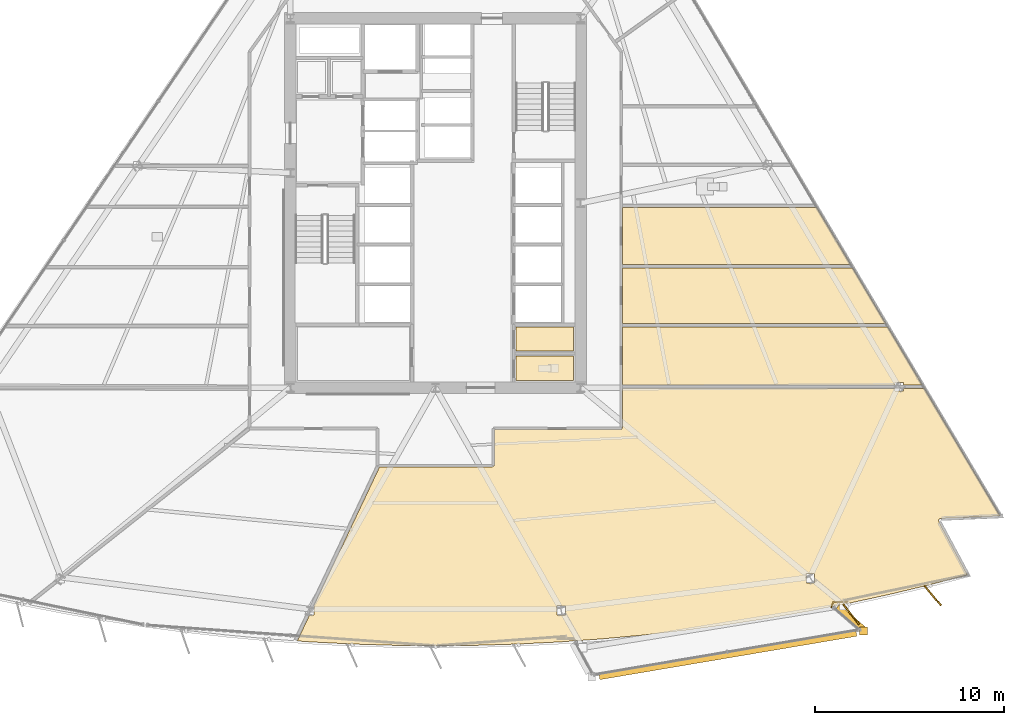
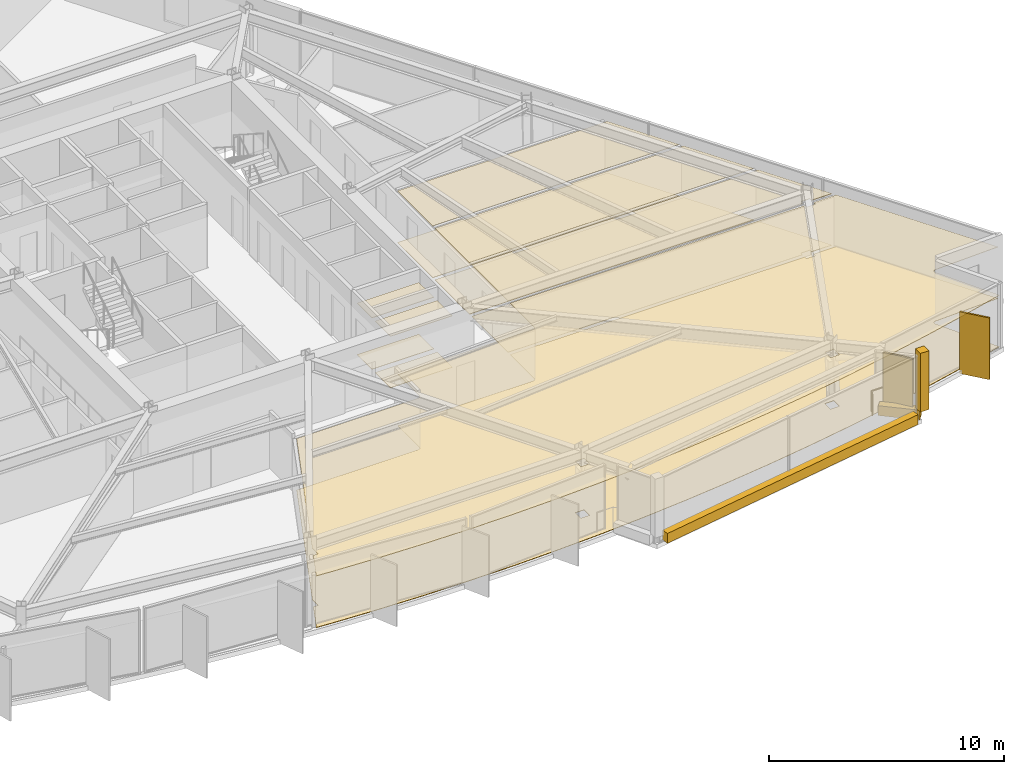
# One storey, part 15 of 18: 15 coverings, 2 shading devices, 1 railing.
"""IFC4 building model written with IfcOpenShell, lengths in metres."""

import ifcopenshell
import ifcopenshell.guid

model = None  # the IFC model being written
_history = None  # IfcOwnerHistory: only IFC2X3 demands one
_inside = {}  # id of a spatial element -> (the spatial element, [elements in it])
_under = {}  # id of a project, library or spatial element -> (it, [spatial elements below it])
_declared = {}  # id of a project -> (the project, [libraries it declares])
_typed = {}  # id of a type object -> (the type object, [elements of that type])
_made_of = {}  # id of a material, layer set ... -> (it, [elements and type objects made of it])


def new_model(schema):
    """Start an empty IFC model of exactly this schema.

    Asked for "IFC4X3", IfcOpenShell would pick the latest addendum, in which some entities
    have other attributes; the version numbers below select the first issue.
    IFC2X3 requires an IfcOwnerHistory on every rooted entity: one is made here for all.
    """
    global model, _history
    if schema == "IFC4X3":
        model = ifcopenshell.file(schema_version=(4, 3, 0, 0))
    else:
        model = ifcopenshell.file(schema=schema)
    _inside.clear()
    _under.clear()
    _declared.clear()
    _typed.clear()
    _made_of.clear()
    _history = None
    if model.schema == "IFC2X3":
        org = make("IfcOrganization", Name="unknown")
        user = make(
            "IfcPersonAndOrganization",
            ThePerson=make("IfcPerson", FamilyName="unknown"),
            TheOrganization=org,
        )
        app = make(
            "IfcApplication",
            ApplicationDeveloper=org,
            Version="unknown",
            ApplicationFullName="unknown",
            ApplicationIdentifier="unknown",
        )
        _history = make(
            "IfcOwnerHistory",
            OwningUser=user,
            OwningApplication=app,
            ChangeAction="ADDED",
            CreationDate=0,
        )
    return model


def make(cls, **values):
    """One entity of the class cls with the attributes given. An attribute that is None is left unset."""
    return model.create_entity(
        cls, **{name: value for name, value in values.items() if value is not None}
    )


def rooted(cls, **values):
    """An entity with a GlobalId (a new one), such as an element, a storey or a relation."""
    return make(cls, GlobalId=ifcopenshell.guid.new(), OwnerHistory=_history, **values)


def si_unit(unit_type, name, prefix=None):
    """IfcSIUnit, for example si_unit("LENGTHUNIT", "METRE", prefix="MILLI")."""
    return make("IfcSIUnit", UnitType=unit_type, Prefix=prefix, Name=name)


def assignment(units):
    """IfcUnitAssignment: the units of a project."""
    return None if units is None else make("IfcUnitAssignment", Units=units)


def point(xyz):
    """IfcCartesianPoint."""
    return None if xyz is None else make("IfcCartesianPoint", Coordinates=xyz)


def direction(xyz):
    """IfcDirection."""
    return None if xyz is None else make("IfcDirection", DirectionRatios=xyz)


def frame(location, z_axis=None, x_axis=None):
    """IfcAxis2Placement3D, a coordinate frame: its origin and axes. An axis left out is left unset."""
    return make(
        "IfcAxis2Placement3D",
        Location=point(location),
        Axis=direction(z_axis),
        RefDirection=direction(x_axis),
    )


def frame_2d(location, x_axis=None):
    """IfcAxis2Placement2D, a coordinate frame in the plane: its origin and x axis."""
    return make(
        "IfcAxis2Placement2D", Location=point(location), RefDirection=direction(x_axis)
    )


def origin():
    """The frame at (0, 0, 0) with its axes left unset."""
    return frame((0.0, 0.0, 0.0))


def origin_2d():
    """The frame at (0, 0) in the plane with its x axis left unset."""
    return frame_2d((0.0, 0.0))


def place(relative_to, where):
    """IfcLocalPlacement: puts the frame where relative to a parent placement (None: the world)."""
    return make(
        "IfcLocalPlacement", PlacementRelTo=relative_to, RelativePlacement=where
    )


def context(
    kind, dimensions, precision=None, world=None, true_north=None, identifier=None
):
    """IfcGeometricRepresentationContext, for example the 3D "Model" context."""
    return make(
        "IfcGeometricRepresentationContext",
        ContextIdentifier=identifier,
        ContextType=kind,
        CoordinateSpaceDimension=dimensions,
        Precision=precision,
        WorldCoordinateSystem=world,
        TrueNorth=true_north,
    )


def subcontext(parent, identifier, kind, view, scale=None):
    """IfcGeometricRepresentationSubContext, for example "Body" below "Model"."""
    return make(
        "IfcGeometricRepresentationSubContext",
        ContextIdentifier=identifier,
        ContextType=kind,
        ParentContext=parent,
        TargetScale=scale,
        TargetView=view,
    )


def project(units=None, contexts=None):
    """IfcProject with its units and contexts."""
    return rooted(
        "IfcProject",
        Name="project",
        RepresentationContexts=contexts,
        UnitsInContext=assignment(units),
    )


def spatial(cls, under=None, at=None, **own):
    """A site, building, storey or space (cls), placed at a placement, below another one or the project."""
    s = rooted(cls, ObjectPlacement=at, **own)
    if under is not None:
        _under.setdefault(under.id(), (under, []))[1].append(s)
    return s


def polyline(points):
    """IfcPolyline through the points."""
    return make("IfcPolyline", Points=[point(p) for p in points])


def profile(cls, at=None, kind="AREA", **sizes):
    """A parametric profile (cls). Its sizes go by their IFC names, for example OverallWidth=200.0."""
    return make(cls, ProfileType=kind, Position=at, **sizes)


def rectangle(**sizes):
    """IfcRectangleProfileDef."""
    return profile("IfcRectangleProfileDef", **sizes)


def circle(**sizes):
    """IfcCircleProfileDef."""
    return profile("IfcCircleProfileDef", **sizes)


def outline(outer, holes=None, kind="AREA"):
    """IfcArbitraryClosedProfileDef: a profile drawn as a closed curve; with holes, ...WithVoids."""
    if holes is None:
        return make("IfcArbitraryClosedProfileDef", ProfileType=kind, OuterCurve=outer)
    return make(
        "IfcArbitraryProfileDefWithVoids",
        ProfileType=kind,
        OuterCurve=outer,
        InnerCurves=holes,
    )


def extrude(swept, where, along, depth):
    """IfcExtrudedAreaSolid: the profile swept, set in the frame where, extruded along a direction by depth."""
    return make(
        "IfcExtrudedAreaSolid",
        SweptArea=swept,
        Position=where,
        ExtrudedDirection=direction(along),
        Depth=depth,
    )


def shape(context_of_items, identifier, shape_type, items):
    """IfcShapeRepresentation: the items that make up one representation, for example the "Body"."""
    return make(
        "IfcShapeRepresentation",
        ContextOfItems=context_of_items,
        RepresentationIdentifier=identifier,
        RepresentationType=shape_type,
        Items=items,
    )


def material(Name=None, Category=None):
    """IfcMaterial."""
    return make("IfcMaterial", Name=Name, Category=Category)


def layer(
    of_material, thickness, ventilated=None, Name=None, Category=None, Priority=None
):
    """IfcMaterialLayer: one layer of a wall or slab, of a material (None: an air gap)."""
    return make(
        "IfcMaterialLayer",
        Material=of_material,
        LayerThickness=thickness,
        IsVentilated=ventilated,
        Name=Name,
        Category=Category,
        Priority=Priority,
    )


def layer_set(layers, Name=None):
    """IfcMaterialLayerSet."""
    return make("IfcMaterialLayerSet", MaterialLayers=layers, LayerSetName=Name)


def made_of(thing, what):
    """Note that an element or type object is made of a material, layer set ...; save() writes the relation."""
    if what is not None:
        _made_of.setdefault(what.id(), (what, []))[1].append(thing)
    return thing


def type_object(cls, material=None, **own):
    """A type object (cls), such as IfcWallType, which elements share."""
    return made_of(rooted(cls, **own), material)


def element(
    cls,
    number,
    at=None,
    inside=None,
    cuts=None,
    type_object=None,
    material=None,
    context=None,
    identifier="Body",
    shape_type=None,
    held_by="IfcProductDefinitionShape",
    body=None,
    shapes=None,
    **own,
):
    """One element of the class cls, such as IfcWall. Its Tag is "e" and its number.

    at: its placement. inside: the storey or other place that contains it. cuts: it is an
    opening in that element (IfcRelVoidsElement). A single representation is given by context,
    identifier, shape_type and body (its items); several are given by shapes. held_by: the class
    of the entity that holds the representations. save() writes the other relations.
    """
    e = rooted(cls, Tag="e%d" % number, ObjectPlacement=at, **own)
    if body is not None:
        shapes = [shape(context, identifier, shape_type, body)]
    if shapes is not None:
        e.Representation = make(held_by, Representations=shapes)
    if inside is not None:
        _inside.setdefault(inside.id(), (inside, []))[1].append(e)
    if cuts is not None:
        rooted(
            "IfcRelVoidsElement", RelatingBuildingElement=cuts, RelatedOpeningElement=e
        )
    if type_object is not None:
        _typed.setdefault(type_object.id(), (type_object, []))[1].append(e)
    return made_of(e, material)


def aggregate(whole, parts):
    """IfcRelAggregates: a whole, such as a stair, and the parts it consists of."""
    return rooted("IfcRelAggregates", RelatingObject=whole, RelatedObjects=parts)


def save(model, path):
    """Write the relations noted so far, then the file.

    IfcRelAggregates (storeys below a building ...), IfcRelContainedInSpatialStructure (elements
    in a storey), IfcRelDefinesByType, IfcRelAssociatesMaterial and IfcRelDeclares: one each for
    every whole, place, type object, material and project.
    """
    for whole, parts in _under.values():
        aggregate(whole, parts)
    for where, things in _inside.values():
        rooted(
            "IfcRelContainedInSpatialStructure",
            RelatedElements=things,
            RelatingStructure=where,
        )
    for kind, things in _typed.values():
        rooted("IfcRelDefinesByType", RelatedObjects=things, RelatingType=kind)
    for what, things in _made_of.values():
        rooted("IfcRelAssociatesMaterial", RelatedObjects=things, RelatingMaterial=what)
    for by, libraries in _declared.values():
        rooted("IfcRelDeclares", RelatingContext=by, RelatedDefinitions=libraries)
    model.write(path)


model = new_model("IFC4")

# Units and contexts
model_context = context("Model", 3, precision=1e-05, world=origin(), true_north=direction((0.0, 1.0)))
body_context = subcontext(model_context, "Body", "Model", "MODEL_VIEW")
ifc_project = project(units=[si_unit("LENGTHUNIT", "METRE"), si_unit("AREAUNIT", "SQUARE_METRE"), si_unit("VOLUMEUNIT", "CUBIC_METRE"), si_unit("PLANEANGLEUNIT", "RADIAN"), si_unit("MASSUNIT", "GRAM", prefix="KILO")], contexts=[model_context])

# Site, building, storey
site_placement = place(None, origin())
site = spatial("IfcSite", under=ifc_project, at=site_placement, CompositionType="ELEMENT")
building_placement = place(site_placement, origin())
building = spatial("IfcBuilding", under=site, at=building_placement, Name="Savorim Split Tower", CompositionType="ELEMENT")
storey_placement = place(building_placement, frame((0.0, 0.0, 48.0)))
storey = spatial("IfcBuildingStorey", under=building, at=storey_placement, Name="L12", CompositionType="ELEMENT", Elevation=48.0)

# Coverings
ifc_material_1 = material(Name="Mineral Fibre Acoustic Ceiling")
ifc_layer_1 = layer(ifc_material_1, 0.02490234375)
ifc_layer_set_1 = layer_set([ifc_layer_1], Name="COV-CEIL-25")
covering_type_1 = type_object("IfcCoveringType", Name="COV-CEIL-25", PredefinedType="CEILING", material=ifc_layer_set_1)
covering_1_placement = place(storey_placement, frame((0.0, 0.0, 2.669921875)))
element("IfcCovering", 1, at=covering_1_placement, inside=storey, type_object=covering_type_1, Name="L12 Accessible WC Acoustic Ceiling", PredefinedType="CEILING", context=body_context, shape_type="SweptSolid", body=[
    extrude(outline(polyline([(4.280029296875, -7.719970703125), (4.280029296875, -9.02001953125), (7.320068359375, -9.02001953125), (7.320068359375, -7.719970703125), (4.280029296875, -7.719970703125)])), origin(), (0.0, 0.0, 1.0), 0.025146484375),
])
covering_2_placement = place(storey_placement, frame((0.0, 0.0, 2.669921875)))
element("IfcCovering", 2, at=covering_2_placement, inside=storey, type_object=covering_type_1, Name="L12 Cleaning Store Acoustic Ceiling", PredefinedType="CEILING", context=body_context, shape_type="SweptSolid", body=[
    extrude(outline(polyline([(4.280029296875, -6.179931640625), (4.280029296875, -7.43994140625), (7.320068359375, -7.43994140625), (7.320068359375, -6.179931640625), (4.280029296875, -6.179931640625)])), origin(), (0.0, 0.0, 1.0), 0.025146484375),
])
covering_3_placement = place(storey_placement, frame((0.0, 0.0, 2.669921875)))
element("IfcCovering", 3, at=covering_3_placement, inside=storey, type_object=covering_type_1, Name="L12 Co-Working Commons Acoustic Ceiling", PredefinedType="CEILING", context=body_context, shape_type="SweptSolid", body=[
    extrude(outline(polyline([(26.7880859375, -16.331298828125), (26.79931640625, -16.3291015625), (26.810791015625, -16.328125), (29.954345703125, -16.1943359375), (25.914794921875, -9.40087890625), (25.914794921875, -9.433837890625), (24.819580078125, -9.433837890625), (24.819580078125, -9.572021484375), (24.3837890625, -9.572021484375), (24.3837890625, -9.433837890625), (9.919921875, -9.433837890625), (9.919921875, -11.47998046875), (9.919189453125, -11.49365234375), (9.917236328125, -11.50732421875), (9.9140625, -11.5205078125), (9.9091796875, -11.53369140625), (9.903564453125, -11.5458984375), (9.896484375, -11.557861328125), (9.88818359375, -11.56884765625), (9.87890625, -11.5791015625), (9.868896484375, -11.588134765625), (9.85791015625, -11.596435546875), (9.845947265625, -11.603515625), (9.83349609375, -11.609375), (9.820556640625, -11.614013671875), (9.807373046875, -11.6171875), (9.793701171875, -11.619384765625), (9.780029296875, -11.6201171875), (3.139892578125, -11.6201171875), (3.139892578125, -13.449951171875), (3.139404296875, -13.463623046875), (3.13720703125, -13.477294921875), (3.134033203125, -13.490478515625), (3.12939453125, -13.503662109375), (3.12353515625, -13.51611328125), (3.116455078125, -13.52783203125), (3.108154296875, -13.538818359375), (3.09912109375, -13.549072265625), (3.0888671875, -13.55810546875), (3.077880859375, -13.56640625), (3.06591796875, -13.573486328125), (3.0537109375, -13.579345703125), (3.04052734375, -13.583984375), (3.02734375, -13.58740234375), (3.013671875, -13.58935546875), (3.0, -13.590087890625), (-2.962890625, -13.590087890625), (-6.45458984375, -20.97216796875), (-6.451904296875, -20.97216796875), (-6.451904296875, -21.43798828125), (-6.6748046875, -21.43798828125), (-7.323974609375, -22.810546875), (-7.331298828125, -22.82568359375), (-6.6201171875, -22.876708984375), (-4.4150390625, -22.989501953125), (-2.2080078125, -23.057373046875), (0.0, -23.080078125), (2.2080078125, -23.057373046875), (4.4150390625, -22.989501953125), (6.6201171875, -22.876708984375), (8.82275390625, -22.71875), (11.021484375, -22.515625), (13.215576171875, -22.267578125), (15.404296875, -21.974853515625), (17.586181640625, -21.63720703125), (19.760986328125, -21.255126953125), (21.927490234375, -20.82861328125), (24.0849609375, -20.357666015625), (26.232177734375, -19.843017578125), (28.22216796875, -19.322509765625), (26.710205078125, -16.504638671875), (26.705322265625, -16.494384765625), (26.701416015625, -16.4833984375), (26.698486328125, -16.472412109375), (26.69677734375, -16.4609375), (26.696044921875, -16.449462890625), (26.6962890625, -16.437744140625), (26.697998046875, -16.426513671875), (26.70068359375, -16.4150390625), (26.704345703125, -16.404296875), (26.708984375, -16.393798828125), (26.714599609375, -16.383544921875), (26.721435546875, -16.374267578125), (26.72900390625, -16.365478515625), (26.7373046875, -16.357421875), (26.746337890625, -16.350341796875), (26.756103515625, -16.343994140625), (26.766357421875, -16.3388671875), (26.777099609375, -16.33447265625), (26.7880859375, -16.331298828125)]), holes=[polyline([(6.451904296875, -21.43798828125), (6.8876953125, -21.43798828125), (6.8876953125, -20.97216796875), (6.451904296875, -20.97216796875), (6.451904296875, -21.43798828125)]), polyline([(20.118896484375, -19.739501953125), (20.118896484375, -19.2734375), (19.682861328125, -19.2734375), (19.682861328125, -19.739501953125), (20.118896484375, -19.739501953125)])]), origin(), (0.0, 0.0, 1.0), 0.025146484375),
])
covering_4_placement = place(storey_placement, frame((0.0, 0.0, 2.669921875)))
element("IfcCovering", 4, at=covering_4_placement, inside=storey, type_object=covering_type_1, Name="L12 Quiet Study Room Acoustic Ceiling", PredefinedType="CEILING", context=body_context, shape_type="SweptSolid", body=[
    extrude(outline(polyline([(24.819580078125, -9.10595703125), (24.819580078125, -9.243896484375), (25.819580078125, -9.243896484375), (25.8212890625, -9.243896484375), (23.9912109375, -6.166015625), (9.919921875, -6.166015625), (9.919921875, -9.243896484375), (24.3837890625, -9.243896484375), (24.3837890625, -9.10595703125), (24.819580078125, -9.10595703125)])), origin(), (0.0, 0.0, 1.0), 0.025146484375),
])
covering_5_placement = place(storey_placement, frame((0.0, 0.0, 2.669921875)))
element("IfcCovering", 5, at=covering_5_placement, inside=storey, type_object=covering_type_1, Name="L12 Quiet Study Room Acoustic Ceiling", PredefinedType="CEILING", context=body_context, shape_type="SweptSolid", body=[
    extrude(outline(polyline([(23.878173828125, -5.975830078125), (22.132080078125, -3.03955078125), (9.919921875, -3.03955078125), (9.919921875, -5.975830078125), (23.878173828125, -5.975830078125)])), origin(), (0.0, 0.0, 1.0), 0.025146484375),
])
covering_6_placement = place(storey_placement, frame((0.0, 0.0, 2.669921875)))
element("IfcCovering", 6, at=covering_6_placement, inside=storey, type_object=covering_type_1, Name="L12 Quiet Study Room Acoustic Ceiling", PredefinedType="CEILING", context=body_context, shape_type="SweptSolid", body=[
    extrude(outline(polyline([(22.019287109375, -2.849609375), (20.23095703125, 0.15771484375), (9.919921875, 0.15771484375), (9.919921875, -2.849609375), (22.019287109375, -2.849609375)])), origin(), (0.0, 0.0, 1.0), 0.025146484375),
])
ifc_material_2 = material(Name="Porcelain Stoneware Flooring", Category="masonry")
ifc_layer_2 = layer(ifc_material_2, 0.02001953125)
ifc_layer_set_2 = layer_set([ifc_layer_2], Name="COV-FLOR-20")
covering_type_2 = type_object("IfcCoveringType", Name="COV-FLOR-20", PredefinedType="FLOORING", material=ifc_layer_set_2)
covering_7_placement = place(storey_placement, origin())
element("IfcCovering", 7, at=covering_7_placement, inside=storey, type_object=covering_type_2, Name="L12 Accessible WC Porcelain Flooring", PredefinedType="FLOORING", context=body_context, shape_type="SweptSolid", body=[
    extrude(outline(polyline([(4.280029296875, -7.719970703125), (4.280029296875, -9.02001953125), (7.320068359375, -9.02001953125), (7.320068359375, -7.719970703125), (4.280029296875, -7.719970703125)])), origin(), (0.0, 0.0, 1.0), 0.02001953125),
])
covering_8_placement = place(storey_placement, origin())
element("IfcCovering", 8, at=covering_8_placement, inside=storey, type_object=covering_type_2, Name="L12 Cleaning Store Porcelain Flooring", PredefinedType="FLOORING", context=body_context, shape_type="SweptSolid", body=[
    extrude(outline(polyline([(4.280029296875, -6.179931640625), (4.280029296875, -7.43994140625), (7.320068359375, -7.43994140625), (7.320068359375, -6.179931640625), (4.280029296875, -6.179931640625)])), origin(), (0.0, 0.0, 1.0), 0.02001953125),
])
covering_9_placement = place(storey_placement, origin())
element("IfcCovering", 9, at=covering_9_placement, inside=storey, type_object=covering_type_2, Name="L12 Co-Working Commons Porcelain Flooring", PredefinedType="FLOORING", context=body_context, shape_type="SweptSolid", body=[
    extrude(outline(polyline([(26.7880859375, -16.331298828125), (26.79931640625, -16.3291015625), (26.810791015625, -16.328125), (29.954345703125, -16.1943359375), (25.914794921875, -9.40087890625), (25.914794921875, -9.433837890625), (24.819580078125, -9.433837890625), (24.819580078125, -9.572021484375), (24.3837890625, -9.572021484375), (24.3837890625, -9.433837890625), (9.919921875, -9.433837890625), (9.919921875, -11.47998046875), (9.919189453125, -11.49365234375), (9.917236328125, -11.50732421875), (9.9140625, -11.5205078125), (9.9091796875, -11.53369140625), (9.903564453125, -11.5458984375), (9.896484375, -11.557861328125), (9.88818359375, -11.56884765625), (9.87890625, -11.5791015625), (9.868896484375, -11.588134765625), (9.85791015625, -11.596435546875), (9.845947265625, -11.603515625), (9.83349609375, -11.609375), (9.820556640625, -11.614013671875), (9.807373046875, -11.6171875), (9.793701171875, -11.619384765625), (9.780029296875, -11.6201171875), (3.139892578125, -11.6201171875), (3.139892578125, -13.449951171875), (3.139404296875, -13.463623046875), (3.13720703125, -13.477294921875), (3.134033203125, -13.490478515625), (3.12939453125, -13.503662109375), (3.12353515625, -13.51611328125), (3.116455078125, -13.52783203125), (3.108154296875, -13.538818359375), (3.09912109375, -13.549072265625), (3.0888671875, -13.55810546875), (3.077880859375, -13.56640625), (3.06591796875, -13.573486328125), (3.0537109375, -13.579345703125), (3.04052734375, -13.583984375), (3.02734375, -13.58740234375), (3.013671875, -13.58935546875), (3.0, -13.590087890625), (-2.962890625, -13.590087890625), (-6.45458984375, -20.97216796875), (-6.451904296875, -20.97216796875), (-6.451904296875, -21.43798828125), (-6.6748046875, -21.43798828125), (-7.323974609375, -22.810546875), (-7.331298828125, -22.82568359375), (-6.6201171875, -22.876708984375), (-4.4150390625, -22.989501953125), (-2.2080078125, -23.057373046875), (0.0, -23.080078125), (2.2080078125, -23.057373046875), (4.4150390625, -22.989501953125), (6.6201171875, -22.876708984375), (8.82275390625, -22.71875), (11.021484375, -22.515625), (13.215576171875, -22.267578125), (15.404296875, -21.974853515625), (17.586181640625, -21.63720703125), (19.760986328125, -21.255126953125), (21.927490234375, -20.82861328125), (24.0849609375, -20.357666015625), (26.232177734375, -19.843017578125), (28.22216796875, -19.322509765625), (26.710205078125, -16.504638671875), (26.705322265625, -16.494384765625), (26.701416015625, -16.4833984375), (26.698486328125, -16.472412109375), (26.69677734375, -16.4609375), (26.696044921875, -16.449462890625), (26.6962890625, -16.437744140625), (26.697998046875, -16.426513671875), (26.70068359375, -16.4150390625), (26.704345703125, -16.404296875), (26.708984375, -16.393798828125), (26.714599609375, -16.383544921875), (26.721435546875, -16.374267578125), (26.72900390625, -16.365478515625), (26.7373046875, -16.357421875), (26.746337890625, -16.350341796875), (26.756103515625, -16.343994140625), (26.766357421875, -16.3388671875), (26.777099609375, -16.33447265625), (26.7880859375, -16.331298828125)]), holes=[polyline([(6.451904296875, -21.43798828125), (6.8876953125, -21.43798828125), (6.8876953125, -20.97216796875), (6.451904296875, -20.97216796875), (6.451904296875, -21.43798828125)]), polyline([(20.118896484375, -19.739501953125), (20.118896484375, -19.2734375), (19.682861328125, -19.2734375), (19.682861328125, -19.739501953125), (20.118896484375, -19.739501953125)])]), origin(), (0.0, 0.0, 1.0), 0.02001953125),
])
covering_10_placement = place(storey_placement, origin())
element("IfcCovering", 10, at=covering_10_placement, inside=storey, type_object=covering_type_2, Name="L12 Quiet Study Room Porcelain Flooring", PredefinedType="FLOORING", context=body_context, shape_type="SweptSolid", body=[
    extrude(outline(polyline([(24.819580078125, -9.10595703125), (24.819580078125, -9.243896484375), (25.819580078125, -9.243896484375), (25.8212890625, -9.243896484375), (23.9912109375, -6.166015625), (9.919921875, -6.166015625), (9.919921875, -9.243896484375), (24.3837890625, -9.243896484375), (24.3837890625, -9.10595703125), (24.819580078125, -9.10595703125)])), origin(), (0.0, 0.0, 1.0), 0.02001953125),
])
covering_11_placement = place(storey_placement, origin())
element("IfcCovering", 11, at=covering_11_placement, inside=storey, type_object=covering_type_2, Name="L12 Quiet Study Room Porcelain Flooring", PredefinedType="FLOORING", context=body_context, shape_type="SweptSolid", body=[
    extrude(outline(polyline([(23.878173828125, -5.975830078125), (22.132080078125, -3.03955078125), (9.919921875, -3.03955078125), (9.919921875, -5.975830078125), (23.878173828125, -5.975830078125)])), origin(), (0.0, 0.0, 1.0), 0.02001953125),
])
covering_12_placement = place(storey_placement, origin())
element("IfcCovering", 12, at=covering_12_placement, inside=storey, type_object=covering_type_2, Name="L12 Quiet Study Room Porcelain Flooring", PredefinedType="FLOORING", context=body_context, shape_type="SweptSolid", body=[
    extrude(outline(polyline([(22.019287109375, -2.849609375), (20.23095703125, 0.15771484375), (9.919921875, 0.15771484375), (9.919921875, -2.849609375), (22.019287109375, -2.849609375)])), origin(), (0.0, 0.0, 1.0), 0.02001953125),
])
ifc_material_3 = material(Name="White Porcelain Architectural Cladding")
ifc_layer_3 = layer(ifc_material_3, 0.139892578125)
ifc_layer_set_3 = layer_set([ifc_layer_3], Name="COV-FRM-WHITE")
covering_type_3 = type_object("IfcCoveringType", Name="COV-FRM-WHITE", PredefinedType="CLADDING", material=ifc_layer_set_3)
covering_13_placement = place(storey_placement, frame((0.0, 0.0, 0.010009765625)))
element("IfcCovering", 13, at=covering_13_placement, inside=storey, type_object=covering_type_3, Name="L12 Cantilevered Lounge White Lower Frame Band F", PredefinedType="CLADDING", context=body_context, shape_type="SweptSolid", body=[
    extrude(outline(polyline([(8.723388671875, -24.88232421875), (22.35546875, -22.575439453125), (22.298828125, -22.240234375), (8.666748046875, -24.547119140625), (8.723388671875, -24.88232421875)])), origin(), (0.0, 0.0, 1.0), 0.510009765625),
])
covering_14_placement = place(storey_placement, frame((0.0, 0.0, 0.010009765625)))
element("IfcCovering", 14, at=covering_14_placement, inside=storey, type_object=covering_type_3, Name="L12 Cantilevered Lounge White Lower Frame Band E", PredefinedType="CLADDING", context=body_context, shape_type="SweptSolid", body=[
    extrude(outline(polyline([(22.7958984375, -22.07275390625), (21.43017578125, -20.900146484375), (21.208740234375, -21.158203125), (22.57421875, -22.330810546875), (22.7958984375, -22.07275390625)])), origin(), (0.0, 0.0, 1.0), 0.510009765625),
])
covering_15_placement = place(storey_placement, frame((0.0, 0.0, 0.5400390625)))
element("IfcCovering", 15, at=covering_15_placement, inside=storey, type_object=covering_type_3, Name="L12 Cantilevered Lounge White Frame Corner Post 2", PredefinedType="CLADDING", context=body_context, shape_type="SweptSolid", body=[
    extrude(outline(polyline([(22.503173828125, -22.501708984375), (22.923095703125, -22.501708984375), (22.923095703125, -22.081787109375), (22.503173828125, -22.081787109375), (22.503173828125, -22.501708984375)])), origin(), (0.0, 0.0, 1.0), 3.050048828125),
])

# Railing
ifc_material_4 = material(Name="Galvanised Painted Steel Balustrade", Category="steel")
railing_type = type_object("IfcRailingType", Name="RLG-BAL-1100", PredefinedType="BALUSTRADE", material=ifc_material_4)
railing_placement = place(storey_placement, frame((21.000244140625, -21.038818359375, 0.0)))
element("IfcRailing", 16, at=railing_placement, inside=storey, type_object=railing_type, Name="L12 Cantilevered Lounge East Edge Closure Guard", PredefinedType="BALUSTRADE", context=body_context, shape_type="SweptSolid", body=[
    extrude(circle(Radius=0.02392578125, at=origin_2d()), frame((0.0, 0.0, 1.076171875), z_axis=(0.351753825897, 0.936092541348, 0.0), x_axis=(-0.936092541348, 0.351753825897, 0.0)), (0.0, 0.0, 1.0), 0.297119140625),
    extrude(circle(Radius=0.02392578125, at=origin_2d()), frame((0.1044921875, 0.278076171875, 1.076171875), z_axis=(1.0, 0.0, 0.0), x_axis=(0.0, 1.0, 0.0)), (0.0, 0.0, 1.0), 0.780029296875),
    extrude(circle(Radius=0.02099609375, at=origin_2d()), origin(), (0.0, 0.0, 1.0), 1.052001953125),
    extrude(circle(Radius=0.02099609375, at=origin_2d()), frame((0.1044921875, 0.278076171875, 0.0)), (0.0, 0.0, 1.0), 1.052001953125),
    extrude(circle(Radius=0.02099609375, at=origin_2d()), frame((0.884521484375, 0.278076171875, 0.0)), (0.0, 0.0, 1.0), 1.052001953125),
])

# Shading devices
ifc_material_5 = material(Name="Terracotta Ceramic-Coated Aluminium Fin", Category="masonry")
shading_device_type = type_object("IfcShadingDeviceType", Name="SHD-FIN-1360", PredefinedType="USERDEFINED", material=ifc_material_5)
for number, where, z_axis, x_axis, name in (
    (17, (22.048583984375, -21.412109375, -0.2001953125), (0.0, 0.0, 1.0), (0.611868076908, -0.790959832394, 0.0), "L12 Sawtooth Shading Fin 12"),
    (18, (26.377197265625, -20.4208984375, -0.2001953125), (0.0, 0.0, 1.0), (0.643719022682, -0.765261928909, 0.0), "L12 Sawtooth Shading Fin 13"),
):
    element("IfcShadingDevice", number, at=place(storey_placement, frame(where, z_axis=z_axis, x_axis=x_axis)), inside=storey, type_object=shading_device_type, Name=name, ObjectType="FIN", PredefinedType="USERDEFINED", context=body_context, shape_type="SweptSolid", body=[
        extrude(rectangle(XDim=1.360107421875, YDim=0.080078125, at=origin_2d()), origin(), (0.0, 0.0, 1.0), 3.199951171875),
    ])

save(model, "model.ifc")
